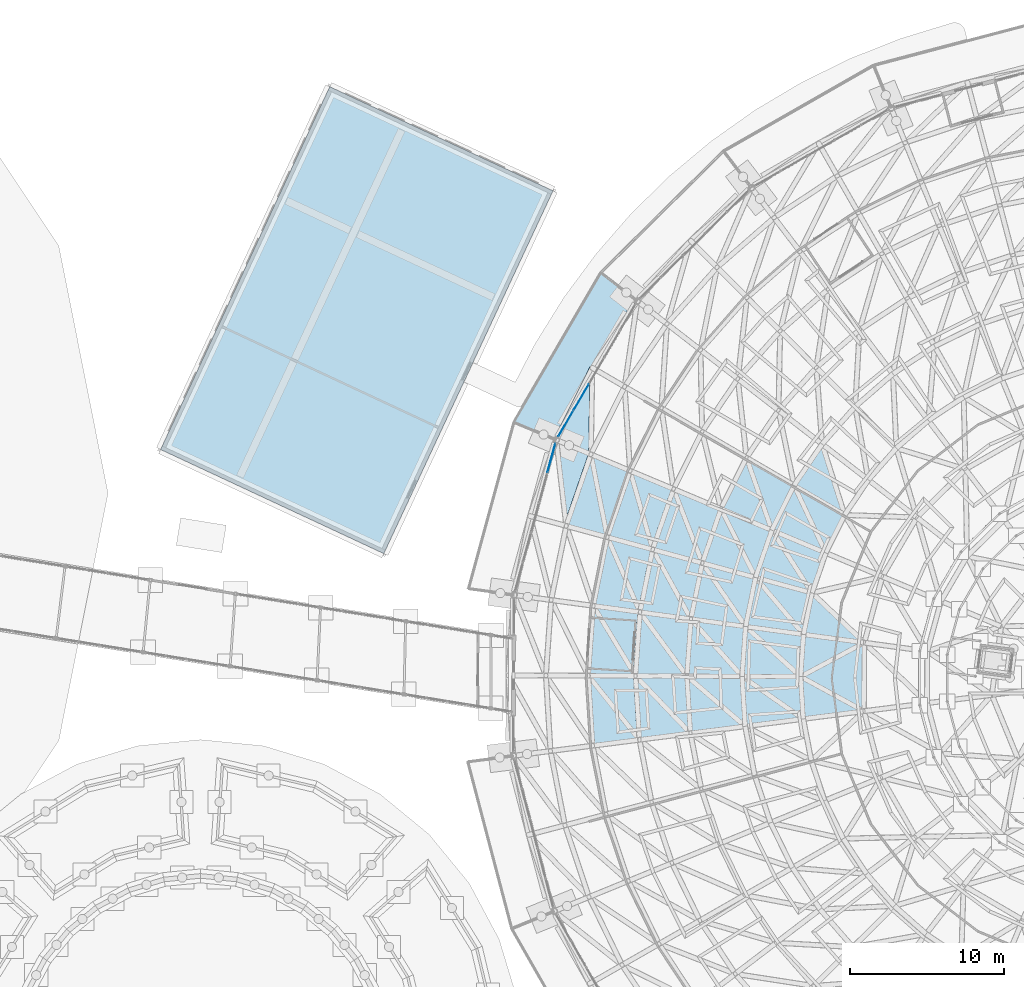
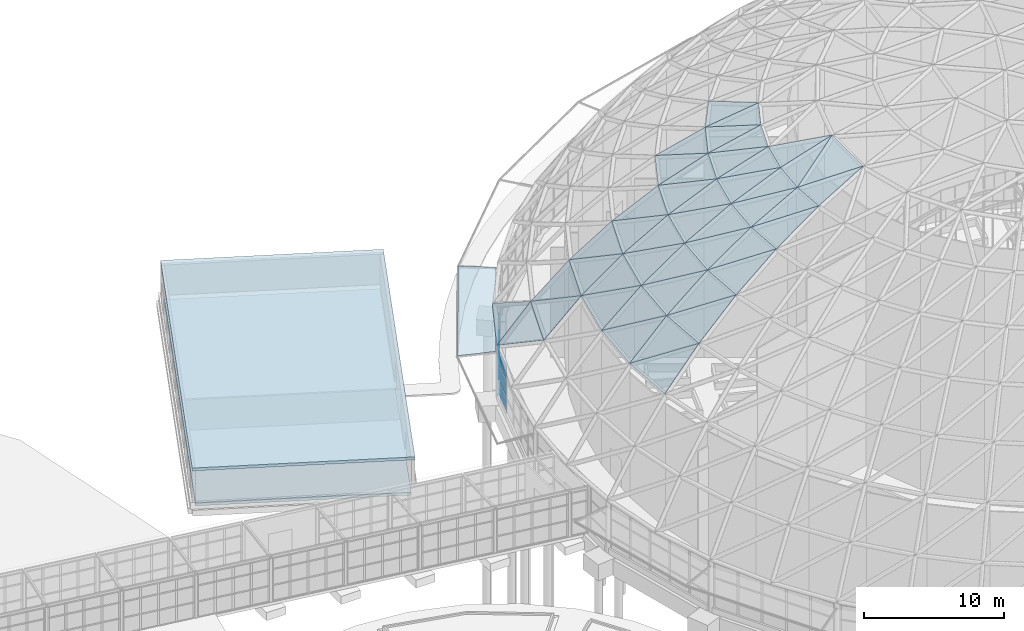
# One storey, part 139 of 226: 55 plates, 2 slabs, 2 elements without a shape of their own.
"""IFC4 building model written with IfcOpenShell, lengths in metres."""

from ifc_helpers import new_model, si_unit, direction, frame, origin, origin_2d, place, context, subcontext, project, spatial, polyline, rectangle, outline, extrude, material, layer, layer_set, type_object, element, aggregate, save


model = new_model("IFC4")

# Units and contexts
model_context = context("Model", 3, precision=1e-05, world=origin(), true_north=direction((0.0, 1.0)))
body_context = subcontext(model_context, "Body", "Model", "MODEL_VIEW")
ifc_project = project(units=[si_unit("LENGTHUNIT", "METRE"), si_unit("AREAUNIT", "SQUARE_METRE"), si_unit("VOLUMEUNIT", "CUBIC_METRE"), si_unit("PLANEANGLEUNIT", "RADIAN"), si_unit("MASSUNIT", "GRAM", prefix="KILO")], contexts=[model_context])

# Site, building, storey
site_placement = place(None, origin())
site = spatial("IfcSite", under=ifc_project, at=site_placement, CompositionType="ELEMENT")
building_placement = place(site_placement, origin())
building = spatial("IfcBuilding", under=site, at=building_placement, Name="Ceibo Conservatory and Research Tower", CompositionType="ELEMENT")
storey_placement = place(building_placement, origin())
storey = spatial("IfcBuildingStorey", under=building, at=storey_placement, Name="L00", CompositionType="ELEMENT", Elevation=0.0)

# Plate
ifc_material_1 = material(Name="Laminated glass", Category="glass")
ifc_layer_1 = layer(ifc_material_1, 0.02490234375)
ifc_layer_set_1 = layer_set([ifc_layer_1], Name="Laminated glass")
plate_type_1 = type_object("IfcPlateType", Name="Canopy glass 25", PredefinedType="SHEET", material=ifc_layer_set_1)
plate_1_placement = place(storey_placement, frame((124.1748046875, 132.641845703125, 4.07275390625), z_axis=(0.039562540313, -0.023071974586, -0.998950694175), x_axis=(-0.503781430565, -0.863831158397, -5.83234e-07)))
element("IfcPlate", 1, at=plate_1_placement, inside=storey, type_object=plate_type_1, Name="Brim canopy plate A-CP10", PredefinedType="SHEET", context=body_context, shape_type="SweptSolid", body=[
    extrude(outline(polyline([(0.0, 0.0), (10.507447212987021, 0.0), (10.866316717849386, 2.7292034430531147), (-0.3588374432735302, 2.729480202590164), (0.0, 0.0)])), origin(), (0.0, 0.0, 1.0), 0.02490234375),
])

# Curtain wall, plates
ifc_material_2 = material(Name="Aluminium and glass", Category="aluminium")
curtain_wall_type = type_object("IfcCurtainWallType", Name="Drum curtain wall", PredefinedType="NOTDEFINED", material=ifc_material_2)
curtain_wall_1_placement = place(storey_placement, origin())
curtain_wall_1 = element("IfcCurtainWall", 2, at=curtain_wall_1_placement, inside=storey, type_object=curtain_wall_type, Name="Drum curtain wall A-CW10", PredefinedType="NOTDEFINED")
ifc_layer_2 = layer(ifc_material_1, 0.028076171875)
ifc_layer_set_2 = layer_set([ifc_layer_2], Name="Laminated glass")
plate_type_2 = type_object("IfcPlateType", Name="Drum glass 28", PredefinedType="CURTAIN_PANEL", material=ifc_layer_set_2)
plate_2_placement = place(storey_placement, frame((120.73095703125, 126.24462890625, 0.06005859375), z_axis=(0.0, 0.0, 1.0), x_axis=(-0.503773971965, -0.863835508167, 0.0)))
plate_2 = element("IfcPlate", 3, at=plate_2_placement, type_object=plate_type_2, Name="A-CW10 panel 4.1", PredefinedType="CURTAIN_PANEL", context=body_context, shape_type="SweptSolid", body=[
    extrude(rectangle(XDim=1.947021484375, YDim=0.028076171875, at=origin_2d()), origin(), (0.0, 0.0, 1.0), 1.43994140625),
])
plate_3_placement = place(storey_placement, frame((120.73095703125, 126.24462890625, 1.56005859375), z_axis=(0.0, 0.0, 1.0), x_axis=(-0.503773971965, -0.863835508167, 0.0)))
plate_3 = element("IfcPlate", 4, at=plate_3_placement, type_object=plate_type_2, Name="A-CW10 panel 4.2", PredefinedType="CURTAIN_PANEL", context=body_context, shape_type="SweptSolid", body=[
    extrude(rectangle(XDim=1.947021484375, YDim=0.028076171875, at=origin_2d()), origin(), (0.0, 0.0, 1.0), 1.425048828125),
])
plate_4_placement = place(storey_placement, frame((120.73095703125, 126.24462890625, 3.044921875), z_axis=(0.0, 0.0, 1.0), x_axis=(-0.503773971965, -0.863835508167, 0.0)))
plate_4 = element("IfcPlate", 5, at=plate_4_placement, type_object=plate_type_2, Name="A-CW10 panel 4.3", PredefinedType="CURTAIN_PANEL", context=body_context, shape_type="SweptSolid", body=[
    extrude(rectangle(XDim=1.947021484375, YDim=0.028076171875, at=origin_2d()), origin(), (0.0, 0.0, 1.0), 1.233154296875),
])
plate_5_placement = place(storey_placement, frame((119.7275390625, 124.52392578125, 0.06005859375), z_axis=(0.0, 0.0, 1.0), x_axis=(-0.503773971965, -0.863835508167, 0.0)))
plate_5 = element("IfcPlate", 6, at=plate_5_placement, type_object=plate_type_2, Name="A-CW10 panel 5.1", PredefinedType="CURTAIN_PANEL", context=body_context, shape_type="SweptSolid", body=[
    extrude(rectangle(XDim=1.917236328125, YDim=0.028076171875, at=origin_2d()), origin(), (0.0, 0.0, 1.0), 1.43994140625),
])
plate_6_placement = place(storey_placement, frame((119.7275390625, 124.52392578125, 1.56005859375), z_axis=(0.0, 0.0, 1.0), x_axis=(-0.503773971965, -0.863835508167, 0.0)))
plate_6 = element("IfcPlate", 7, at=plate_6_placement, type_object=plate_type_2, Name="A-CW10 panel 5.2", PredefinedType="CURTAIN_PANEL", context=body_context, shape_type="SweptSolid", body=[
    extrude(rectangle(XDim=1.917236328125, YDim=0.028076171875, at=origin_2d()), origin(), (0.0, 0.0, 1.0), 1.425048828125),
])
plate_7_placement = place(storey_placement, frame((119.7275390625, 124.52392578125, 3.044921875), z_axis=(0.0, 0.0, 1.0), x_axis=(-0.503773971965, -0.863835508167, 0.0)))
plate_7 = element("IfcPlate", 8, at=plate_7_placement, type_object=plate_type_2, Name="A-CW10 panel 5.3", PredefinedType="CURTAIN_PANEL", context=body_context, shape_type="SweptSolid", body=[
    extrude(rectangle(XDim=1.917236328125, YDim=0.028076171875, at=origin_2d()), origin(), (0.0, 0.0, 1.0), 1.233154296875),
])
aggregate(curtain_wall_1, [plate_2, plate_3, plate_4, plate_5, plate_6, plate_7])

curtain_wall_2_placement = place(storey_placement, origin())
curtain_wall_2 = element("IfcCurtainWall", 9, at=curtain_wall_2_placement, inside=storey, type_object=curtain_wall_type, Name="Drum curtain wall A-CW11", PredefinedType="NOTDEFINED")
plate_8_placement = place(storey_placement, frame((118.79052734375, 122.289794921875, 0.06005859375), z_axis=(0.0, 0.0, 1.0), x_axis=(-0.263031218095, -0.964787322837, 0.0)))
plate_8 = element("IfcPlate", 10, at=plate_8_placement, type_object=plate_type_2, Name="A-CW11 panel 1.1", PredefinedType="CURTAIN_PANEL", context=body_context, shape_type="SweptSolid", body=[
    extrude(rectangle(XDim=1.917236328125, YDim=0.028076171875, at=origin_2d()), origin(), (0.0, 0.0, 1.0), 1.43994140625),
])
plate_9_placement = place(storey_placement, frame((118.79052734375, 122.289794921875, 1.56005859375), z_axis=(0.0, 0.0, 1.0), x_axis=(-0.263031218095, -0.964787322837, 0.0)))
plate_9 = element("IfcPlate", 11, at=plate_9_placement, type_object=plate_type_2, Name="A-CW11 panel 1.2", PredefinedType="CURTAIN_PANEL", context=body_context, shape_type="SweptSolid", body=[
    extrude(rectangle(XDim=1.917236328125, YDim=0.028076171875, at=origin_2d()), origin(), (0.0, 0.0, 1.0), 1.425048828125),
])
plate_10_placement = place(storey_placement, frame((118.79052734375, 122.289794921875, 3.044921875), z_axis=(0.0, 0.0, 1.0), x_axis=(-0.263031218095, -0.964787322837, 0.0)))
plate_10 = element("IfcPlate", 12, at=plate_10_placement, type_object=plate_type_2, Name="A-CW11 panel 1.3", PredefinedType="CURTAIN_PANEL", context=body_context, shape_type="SweptSolid", body=[
    extrude(rectangle(XDim=1.917236328125, YDim=0.028076171875, at=origin_2d()), origin(), (0.0, 0.0, 1.0), 1.233154296875),
])
aggregate(curtain_wall_2, [plate_8, plate_9, plate_10])

# Plates
ifc_layer_3 = layer(ifc_material_1, 0.035888671875)
ifc_layer_set_3 = layer_set([ifc_layer_3], Name="Laminated glass")
plate_type_3 = type_object("IfcPlateType", Name="Gridshell roof glass 36", PredefinedType="SHEET", material=ifc_layer_set_3)
plate_11_placement = place(storey_placement, frame((121.30224609375, 128.2353515625, 4.601806640625), z_axis=(-0.742802977442, 0.370360284257, 0.557742769158), x_axis=(-0.446209760188, -0.894928404909, 0.0)))
element("IfcPlate", 13, at=plate_11_placement, inside=storey, type_object=plate_type_3, Name="Glass panel A-P01-039", PredefinedType="SHEET", context=body_context, shape_type="SweptSolid", body=[
    extrude(outline(polyline([(0.0, 0.0), (5.254763054736992, 0.0), (5.0939444908646445, 4.374750473519363), (0.0, 0.0)])), origin(), (0.0, 0.0, -1.0), 0.035888671875),
])
plate_12_placement = place(storey_placement, frame((118.95751953125, 123.53271484375, 4.601806640625), z_axis=(-0.784770025573, 0.270254920895, 0.557761853029), x_axis=(0.096612038574, -0.835583231624, 0.540801975802)))
element("IfcPlate", 14, at=plate_12_placement, inside=storey, type_object=plate_type_3, Name="Glass panel A-P01-042", PredefinedType="SHEET", context=body_context, shape_type="SweptSolid", body=[
    extrude(outline(polyline([(0.0, 0.0), (6.714294100418478, 0.0), (2.9710832287201656, 3.215115668846396), (0.0, 0.0)])), origin(), (0.0, 0.0, -1.0), 0.035888671875),
])
plate_13_placement = place(storey_placement, frame((121.212890625, 122.587890625, 8.23291015625), z_axis=(-0.732352547598, 0.25220366906, 0.632497474571), x_axis=(-0.325607933059, -0.945504877792, 0.0)))
element("IfcPlate", 15, at=plate_13_placement, inside=storey, type_object=plate_type_3, Name="Glass panel A-P02-041", PredefinedType="SHEET", context=body_context, shape_type="SweptSolid", body=[
    extrude(outline(polyline([(0.0, 0.0), (4.934429692888738, -1.1102230246251565e-16), (4.752927804793788, 4.373058823436186), (0.0, 0.0)])), origin(), (0.0, 0.0, -1.0), 0.035888671875),
])
plate_14_placement = place(storey_placement, frame((121.212890625, 122.587890625, 8.23291015625), z_axis=(-0.732408446598, 0.252162316105, 0.632449234081), x_axis=(0.165302258371, -0.835243242845, 0.524446268611)))
element("IfcPlate", 16, at=plate_14_placement, inside=storey, type_object=plate_type_3, Name="Glass panel A-P02-042", PredefinedType="SHEET", context=body_context, shape_type="SweptSolid", body=[
    extrude(outline(polyline([(0.0, 0.0), (6.458635009877472, 0.0), (3.0946716643430197, 3.094814172155873), (0.0, 0.0)])), origin(), (0.0, 0.0, -1.0), 0.035888671875),
])
plate_15_placement = place(storey_placement, frame((123.7685546875, 121.515380859375, 11.6201171875), z_axis=(-0.673630407021, 0.23192551154, 0.701735442908), x_axis=(-0.325537989165, -0.945528961804, 0.0)))
element("IfcPlate", 17, at=plate_15_placement, inside=storey, type_object=plate_type_3, Name="Glass panel A-P03-041", PredefinedType="SHEET", context=body_context, shape_type="SweptSolid", body=[
    extrude(outline(polyline([(0.0, 0.0), (4.5710090954051035, 1.1102230246251565e-16), (4.370604295605408, 4.3722988921511075), (0.0, 0.0)])), origin(), (0.0, 0.0, -1.0), 0.035888671875),
])
plate_16_placement = place(storey_placement, frame((123.7685546875, 121.515380859375, 11.6201171875), z_axis=(-0.673576823102, 0.231964374119, 0.701774032378), x_axis=(0.23911868837, -0.830024210101, 0.503867108987)))
element("IfcPlate", 18, at=plate_16_placement, inside=storey, type_object=plate_type_3, Name="Glass panel A-P03-042", PredefinedType="SHEET", context=body_context, shape_type="SweptSolid", body=[
    extrude(outline(polyline([(0.0, 0.0), (6.182166247446785, -4.440892098500626e-16), (3.234536384486591, 2.949087560799737), (0.0, 0.0)])), origin(), (0.0, 0.0, -1.0), 0.035888671875),
])
plate_17_placement = place(storey_placement, frame((122.280517578125, 117.193359375, 11.6201171875), z_axis=(-0.698154069287, 0.142080610733, 0.701707913303), x_axis=(-0.19942125265, -0.979913855393, 0.0)))
element("IfcPlate", 19, at=plate_17_placement, inside=storey, type_object=plate_type_3, Name="Glass panel A-P03-043", PredefinedType="SHEET", context=body_context, shape_type="SweptSolid", body=[
    extrude(outline(polyline([(0.0, 0.0), (4.572557950849264, 0.0), (4.370501352476871, 4.372132491034286), (0.0, 0.0)])), origin(), (0.0, 0.0, -1.0), 0.035888671875),
])
plate_18_placement = place(storey_placement, frame((122.280517578125, 117.193359375, 11.6201171875), z_axis=(-0.698129251634, 0.142104119468, 0.701727844141), x_axis=(0.345320929694, -0.791742223068, 0.503882632888)))
element("IfcPlate", 20, at=plate_18_placement, inside=storey, type_object=plate_type_3, Name="Glass panel A-P03-044", PredefinedType="SHEET", context=body_context, shape_type="SweptSolid", body=[
    extrude(outline(polyline([(0.0, 0.0), (6.181975783773326, 2.220446049250313e-16), (3.2346956245776015, 2.9485426743439005), (0.0, 0.0)])), origin(), (0.0, 0.0, -1.0), 0.035888671875),
])
plate_19_placement = place(storey_placement, frame((121.36865234375, 112.712646484375, 11.6201171875), z_axis=(-0.710708262709, 0.049770125689, 0.701724091012), x_axis=(-0.06985782743, -0.997556957746, 0.0)))
element("IfcPlate", 21, at=plate_19_placement, inside=storey, type_object=plate_type_3, Name="Glass panel A-P03-045", PredefinedType="SHEET", context=body_context, shape_type="SweptSolid", body=[
    extrude(outline(polyline([(0.0, 0.0), (4.571226292737238, 0.0), (4.369341781045656, 4.372230273173639), (0.0, 0.0)])), origin(), (0.0, 0.0, -1.0), 0.035888671875),
])
plate_20_placement = place(storey_placement, frame((121.36865234375, 112.712646484375, 11.6201171875), z_axis=(-0.710708663855, 0.049769631133, 0.701723719806), x_axis=(0.445764552789, -0.73982064844, 0.503943817919)))
element("IfcPlate", 22, at=plate_20_placement, inside=storey, type_object=plate_type_3, Name="Glass panel A-P03-046", PredefinedType="SHEET", context=body_context, shape_type="SweptSolid", body=[
    extrude(outline(polyline([(0.0, 0.0), (6.181225215218037, 0.0), (3.234011481003443, 2.9491590545173043), (0.0, 0.0)])), origin(), (0.0, 0.0, -1.0), 0.035888671875),
])
plate_21_placement = place(storey_placement, frame((121.04931640625, 108.152587890625, 11.6201171875), z_axis=(-0.711045096954, -0.04348445938, 0.701800521438), x_axis=(0.061041656274, -0.998135219396, 0.0)))
element("IfcPlate", 23, at=plate_21_placement, inside=storey, type_object=plate_type_3, Name="Glass panel A-P03-047", PredefinedType="SHEET", context=body_context, shape_type="SweptSolid", body=[
    extrude(outline(polyline([(0.0, 0.0), (4.571513150302315, -2.7755575615628914e-17), (4.370765544932332, 4.3726923571040155), (0.0, 0.0)])), origin(), (0.0, 0.0, -1.0), 0.035888671875),
])
plate_22_placement = place(storey_placement, frame((121.04931640625, 108.152587890625, 11.6201171875), z_axis=(-0.711107793429, -0.043586582447, 0.701730657699), x_axis=(0.538585113529, -0.675334160245, 0.503835139198)))
element("IfcPlate", 24, at=plate_22_placement, inside=storey, type_object=plate_type_3, Name="Glass panel A-P03-048", PredefinedType="SHEET", context=body_context, shape_type="SweptSolid", body=[
    extrude(outline(polyline([(0.0, 0.0), (6.182558523673149, -1.1102230246251565e-15), (3.234171428542714, 2.949116831954096), (0.0, 0.0)])), origin(), (0.0, 0.0, -1.0), 0.035888671875),
])
plate_23_placement = place(storey_placement, frame((126.6044921875, 120.326416015625, 14.735107421875), z_axis=(-0.608957002075, 0.209710793197, 0.764978923135), x_axis=(-0.325609910705, -0.945504196739, 0.0)))
element("IfcPlate", 25, at=plate_23_placement, inside=storey, type_object=plate_type_3, Name="Glass panel A-P04-041", PredefinedType="SHEET", context=body_context, shape_type="SweptSolid", body=[
    extrude(outline(polyline([(0.0, 0.0), (4.16960900448453, 1.1102230246251565e-16), (3.950562007717788, 4.3717888324906), (0.0, 0.0)])), origin(), (0.0, 0.0, -1.0), 0.035888671875),
])
plate_24_placement = place(storey_placement, frame((126.6044921875, 120.326416015625, 14.735107421875), z_axis=(-0.608981395128, 0.209692846517, 0.764964424342), x_axis=(0.318334928516, -0.818729426979, 0.477854579015)))
element("IfcPlate", 26, at=plate_24_placement, inside=storey, type_object=plate_type_3, Name="Glass panel A-P04-042", PredefinedType="SHEET", context=body_context, shape_type="SweptSolid", body=[
    extrude(outline(polyline([(0.0, 0.0), (5.8923236310230545, 2.220446049250313e-16), (3.3899891099477335, 2.768980068166276), (0.0, 0.0)])), origin(), (0.0, 0.0, -1.0), 0.035888671875),
])
plate_25_placement = place(storey_placement, frame((125.246826171875, 116.384033203125, 14.735107421875), z_axis=(-0.631105080791, 0.128461358105, 0.764986311298), x_axis=(-0.199459744694, -0.97990602113, 0.0)))
element("IfcPlate", 27, at=plate_25_placement, inside=storey, type_object=plate_type_3, Name="Glass panel A-P04-043", PredefinedType="SHEET", context=body_context, shape_type="SweptSolid", body=[
    extrude(outline(polyline([(0.0, 0.0), (4.16897640185404, 1.1102230246251565e-16), (3.9503910068015955, 4.371848400047367), (0.0, 0.0)])), origin(), (0.0, 0.0, -1.0), 0.035888671875),
])
plate_26_placement = place(storey_placement, frame((125.246826171875, 116.384033203125, 14.735107421875), z_axis=(-0.631118219671, 0.128448740221, 0.764977590479), x_axis=(0.422462806056, -0.770178367886, 0.477860292491)))
element("IfcPlate", 28, at=plate_26_placement, inside=storey, type_object=plate_type_3, Name="Glass panel A-P04-044", PredefinedType="SHEET", context=body_context, shape_type="SweptSolid", body=[
    extrude(outline(polyline([(0.0, 0.0), (5.892253180203277, -6.661338147750939e-16), (3.3906602591577535, 2.7683825945216305), (0.0, 0.0)])), origin(), (0.0, 0.0, -1.0), 0.035888671875),
])
plate_27_placement = place(storey_placement, frame((124.415283203125, 112.298828125, 14.735107421875), z_axis=(-0.642415247995, 0.044987167813, 0.765035165124), x_axis=(-0.069857097416, -0.997557008867, 0.0)))
element("IfcPlate", 29, at=plate_27_placement, inside=storey, type_object=plate_type_3, Name="Glass panel A-P04-045", PredefinedType="SHEET", context=body_context, shape_type="SweptSolid", body=[
    extrude(outline(polyline([(0.0, 0.0), (4.169365410225462, 0.0), (3.950300612136636, 4.372242363016905), (0.0, 0.0)])), origin(), (0.0, 0.0, -1.0), 0.035888671875),
])
plate_28_placement = place(storey_placement, frame((124.415283203125, 112.298828125, 14.735107421875), z_axis=(-0.642493133176, 0.044889797732, 0.764975476654), x_axis=(0.51943977312, -0.708413595024, 0.477841501427)))
element("IfcPlate", 30, at=plate_28_placement, inside=storey, type_object=plate_type_3, Name="Glass panel A-P04-046", PredefinedType="SHEET", context=body_context, shape_type="SweptSolid", body=[
    extrude(outline(polyline([(0.0, 0.0), (5.892484892403775, 2.220446049250313e-16), (3.3912287716587572, 2.7677437428708576), (0.0, 0.0)])), origin(), (0.0, 0.0, -1.0), 0.035888671875),
])
plate_29_placement = place(storey_placement, frame((124.1240234375, 108.1396484375, 14.735107421875), z_axis=(-0.642820603216, -0.039400993041, 0.765002767203), x_axis=(0.061179102029, -0.998126804306, 0.0)))
element("IfcPlate", 31, at=plate_29_placement, inside=storey, type_object=plate_type_3, Name="Glass panel A-P04-047", PredefinedType="SHEET", context=body_context, shape_type="SweptSolid", body=[
    extrude(outline(polyline([(0.0, 0.0), (4.170165050839913, -5.551115123125783e-17), (3.951766782354754, 4.3719810876863985), (0.0, 0.0)])), origin(), (0.0, 0.0, -1.0), 0.035888671875),
])
plate_30_placement = place(storey_placement, frame((124.1240234375, 108.1396484375, 14.735107421875), z_axis=(-0.642791504126, -0.039352862143, 0.765029695152), x_axis=(0.60748542812, -0.634578681665, 0.477777512446)))
element("IfcPlate", 32, at=plate_30_placement, inside=storey, type_object=plate_type_3, Name="Glass panel A-P04-048", PredefinedType="SHEET", context=body_context, shape_type="SweptSolid", body=[
    extrude(outline(polyline([(0.0, 0.0), (5.893274075860548, 2.220446049250313e-16), (3.391193080415083, 2.768447607968445), (0.0, 0.0)])), origin(), (0.0, 0.0, -1.0), 0.035888671875),
])
plate_31_placement = place(storey_placement, frame((131.3603515625, 122.369873046875, 17.55078125), z_axis=(-0.510196421829, 0.254426703486, 0.821563548185), x_axis=(-0.446271074095, -0.894897831278, 0.0)))
element("IfcPlate", 33, at=plate_31_placement, inside=storey, type_object=plate_type_3, Name="Glass panel A-P05-039", PredefinedType="SHEET", context=body_context, shape_type="SweptSolid", body=[
    extrude(outline(polyline([(0.0, 0.0), (3.731003775851083, 0.0), (3.4958935803363858, 4.370077191346767), (0.0, 0.0)])), origin(), (0.0, 0.0, -1.0), 0.035888671875),
])
plate_32_placement = place(storey_placement, frame((131.3603515625, 122.369873046875, 17.55078125), z_axis=(-0.510226759322, 0.254409059279, 0.821550171705), x_axis=(0.295342428095, -0.845324996927, 0.445194900843)))
element("IfcPlate", 34, at=plate_32_placement, inside=storey, type_object=plate_type_3, Name="Glass panel A-P05-040", PredefinedType="SHEET", context=body_context, shape_type="SweptSolid", body=[
    extrude(outline(polyline([(0.0, 0.0), (5.596324381535295, 2.220446049250313e-16), (3.5592323852402186, 2.5462668798643193), (0.0, 0.0)])), origin(), (0.0, 0.0, -1.0), 0.035888671875),
])
plate_33_placement = place(storey_placement, frame((129.6953125, 119.031005859375, 17.55078125), z_axis=(-0.539062040255, 0.185617252965, 0.821558489797), x_axis=(-0.32557334048, -0.945516789893, 0.0)))
element("IfcPlate", 35, at=plate_33_placement, inside=storey, type_object=plate_type_3, Name="Glass panel A-P05-041", PredefinedType="SHEET", context=body_context, shape_type="SweptSolid", body=[
    extrude(outline(polyline([(0.0, 0.0), (3.7321479972352876, 0.0), (3.4962116485441794, 4.370021317980223), (0.0, 0.0)])), origin(), (0.0, 0.0, -1.0), 0.035888671875),
])
plate_34_placement = place(storey_placement, frame((129.6953125, 119.031005859375, 17.55078125), z_axis=(-0.53905830319, 0.185620139564, 0.821560289662), x_axis=(0.403172686909, -0.799540035238, 0.445182565452)))
element("IfcPlate", 36, at=plate_34_placement, inside=storey, type_object=plate_type_3, Name="Glass panel A-P05-042", PredefinedType="SHEET", context=body_context, shape_type="SweptSolid", body=[
    extrude(outline(polyline([(0.0, 0.0), (5.596479447922382, 0.0), (3.5596637295951297, 2.5459076170531194), (0.0, 0.0)])), origin(), (0.0, 0.0, -1.0), 0.035888671875),
])
plate_35_placement = place(storey_placement, frame((128.480224609375, 115.502197265625, 17.55078125), z_axis=(-0.55859178634, 0.113687751386, 0.821614454241), x_axis=(-0.199436945553, -0.979910661616, 0.0)))
element("IfcPlate", 37, at=plate_35_placement, inside=storey, type_object=plate_type_3, Name="Glass panel A-P05-043", PredefinedType="SHEET", context=body_context, shape_type="SweptSolid", body=[
    extrude(outline(polyline([(0.0, 0.0), (3.7312074898449956, 0.0), (3.4951544007870523, 4.370639622162836), (0.0, 0.0)])), origin(), (0.0, 0.0, -1.0), 0.035888671875),
])
plate_36_placement = place(storey_placement, frame((128.480224609375, 115.502197265625, 17.55078125), z_axis=(-0.558688557011, 0.113590330853, 0.821562129727), x_axis=(0.504221786555, -0.739973173866, 0.445196689029)))
element("IfcPlate", 38, at=plate_36_placement, inside=storey, type_object=plate_type_3, Name="Glass panel A-P05-044", PredefinedType="SHEET", context=body_context, shape_type="SweptSolid", body=[
    extrude(outline(polyline([(0.0, 0.0), (5.5963019032358154, 3.3306690738754696e-16), (3.5594281909466803, 2.5462174364592935), (0.0, 0.0)])), origin(), (0.0, 0.0, -1.0), 0.035888671875),
])
plate_37_placement = place(storey_placement, frame((127.736083984375, 111.845947265625, 17.55078125), z_axis=(-0.568732881221, 0.039736306403, 0.821561887974), x_axis=(-0.069698225387, -0.997568121673, 0.0)))
element("IfcPlate", 39, at=plate_37_placement, inside=storey, type_object=plate_type_3, Name="Glass panel A-P05-045", PredefinedType="SHEET", context=body_context, shape_type="SweptSolid", body=[
    extrude(outline(polyline([(0.0, 0.0), (3.730507687670031, 0.0), (3.4958145110330494, 4.370058852904279), (0.0, 0.0)])), origin(), (0.0, 0.0, -1.0), 0.035888671875),
])
plate_38_placement = place(storey_placement, frame((127.736083984375, 111.845947265625, 17.55078125), z_axis=(-0.568635694864, 0.03986382489, 0.821622980443), x_axis=(0.596450169592, -0.667865392502, 0.445199969331)))
element("IfcPlate", 40, at=plate_38_placement, inside=storey, type_object=plate_type_3, Name="Glass panel A-P05-046", PredefinedType="SHEET", context=body_context, shape_type="SweptSolid", body=[
    extrude(outline(polyline([(0.0, 0.0), (5.596260668821307, -2.220446049250313e-16), (3.559911507223866, 2.546613796477314), (0.0, 0.0)])), origin(), (0.0, 0.0, -1.0), 0.035888671875),
])
plate_39_placement = place(storey_placement, frame((127.47607421875, 108.12451171875, 17.55078125), z_axis=(-0.569090988201, -0.034840782838, 0.821536102067), x_axis=(0.061107402824, -0.998131196447, 0.0)))
element("IfcPlate", 41, at=plate_39_placement, inside=storey, type_object=plate_type_3, Name="Glass panel A-P05-047", PredefinedType="SHEET", context=body_context, shape_type="SweptSolid", body=[
    extrude(outline(polyline([(0.0, 0.0), (3.7315829705147348, 0.0), (3.4964130459758476, 4.3697740600050805), (0.0, 0.0)])), origin(), (0.0, 0.0, -1.0), 0.035888671875),
])
plate_40_placement = place(storey_placement, frame((127.47607421875, 108.12451171875, 17.55078125), z_axis=(-0.569063433344, -0.034792700538, 0.821557226747), x_axis=(0.678448059869, -0.584393660623, 0.4451879148)))
element("IfcPlate", 42, at=plate_40_placement, inside=storey, type_object=plate_type_3, Name="Glass panel A-P05-048", PredefinedType="SHEET", context=body_context, shape_type="SweptSolid", body=[
    extrude(outline(polyline([(0.0, 0.0), (5.596412201005515, 5.551115123125783e-16), (3.5595707300836565, 2.5459676907884607), (0.0, 0.0)])), origin(), (0.0, 0.0, -1.0), 0.035888671875),
])
plate_41_placement = place(storey_placement, frame((136.291748046875, 123.259521484375, 20.042236328125), z_axis=(-0.406961785308, 0.274629343555, 0.871183579366), x_axis=(-0.559375094808, -0.828914653814, 0.0)))
element("IfcPlate", 43, at=plate_41_placement, inside=storey, type_object=plate_type_3, Name="Glass panel A-P06-037", PredefinedType="SHEET", context=body_context, shape_type="SweptSolid", body=[
    extrude(outline(polyline([(0.0, 0.0), (3.259863274301928, 0.0), (3.0104385485394936, 4.370546084690857), (0.0, 0.0)])), origin(), (0.0, 0.0, -1.0), 0.035888671875),
])
plate_42_placement = place(storey_placement, frame((134.46826171875, 120.557373046875, 20.042236328125), z_axis=(-0.439373150127, 0.219080061471, 0.871180326691), x_axis=(-0.44622503886, -0.894920786827, 0.0)))
element("IfcPlate", 44, at=plate_42_placement, inside=storey, type_object=plate_type_3, Name="Glass panel A-P06-039", PredefinedType="SHEET", context=body_context, shape_type="SweptSolid", body=[
    extrude(outline(polyline([(0.0, 0.0), (3.2608616690781957, 0.0), (3.011763968177683, 4.3704947051715415), (0.0, 0.0)])), origin(), (0.0, 0.0, -1.0), 0.035888671875),
])
plate_43_placement = place(storey_placement, frame((134.46826171875, 120.557373046875, 20.042236328125), z_axis=(-0.439374201698, 0.219079391027, 0.871179964938), x_axis=(0.388768541672, -0.827904044198, 0.404269606337)))
element("IfcPlate", 45, at=plate_43_placement, inside=storey, type_object=plate_type_3, Name="Glass panel A-P06-040", PredefinedType="SHEET", context=body_context, shape_type="SweptSolid", body=[
    extrude(outline(polyline([(0.0, 0.0), (5.307725140580083, -3.3306690738754696e-16), (3.7408477222334784, 2.2737511058356494), (0.0, 0.0)])), origin(), (0.0, 0.0, -1.0), 0.035888671875),
])
plate_44_placement = place(storey_placement, frame((133.01318359375, 117.63916015625, 20.042236328125), z_axis=(-0.46418912574, 0.159839575411, 0.871194447685), x_axis=(-0.325579884733, -0.94551453646, 0.0)))
element("IfcPlate", 46, at=plate_44_placement, inside=storey, type_object=plate_type_3, Name="Glass panel A-P06-041", PredefinedType="SHEET", context=body_context, shape_type="SweptSolid", body=[
    extrude(outline(polyline([(0.0, 0.0), (3.260408542651373, 0.0), (3.011258690738724, 4.370717776040065), (0.0, 0.0)])), origin(), (0.0, 0.0, -1.0), 0.035888671875),
])
plate_45_placement = place(storey_placement, frame((133.01318359375, 117.63916015625, 20.042236328125), z_axis=(-0.464240002256, 0.159796843866, 0.871175176986), x_axis=(0.493605795176, -0.770008481152, 0.404277451663)))
element("IfcPlate", 47, at=plate_45_placement, inside=storey, type_object=plate_type_3, Name="Glass panel A-P06-042", PredefinedType="SHEET", context=body_context, shape_type="SweptSolid", body=[
    extrude(outline(polyline([(0.0, 0.0), (5.307622139936312, -2.220446049250313e-16), (3.740847783150219, 2.2736163915283716), (0.0, 0.0)])), origin(), (0.0, 0.0, -1.0), 0.035888671875),
])
plate_46_placement = place(storey_placement, frame((131.95166015625, 114.556396484375, 20.042236328125), z_axis=(-0.481128138103, 0.097821055585, 0.871175502301), x_axis=(-0.19923968874, -0.97995078776, 0.0)))
element("IfcPlate", 48, at=plate_46_placement, inside=storey, type_object=plate_type_3, Name="Glass panel A-P06-043", PredefinedType="SHEET", context=body_context, shape_type="SweptSolid", body=[
    extrude(outline(polyline([(0.0, 0.0), (3.260686699691317, 0.0), (3.0112605617994657, 4.370418502422462), (0.0, 0.0)])), origin(), (0.0, 0.0, -1.0), 0.035888671875),
])
plate_47_placement = place(storey_placement, frame((131.95166015625, 114.556396484375, 20.042236328125), z_axis=(-0.48109278401, 0.097859681902, 0.871190688559), x_axis=(0.58995312714, -0.698927704777, 0.404296143036)))
element("IfcPlate", 49, at=plate_47_placement, inside=storey, type_object=plate_type_3, Name="Glass panel A-P06-044", PredefinedType="SHEET", context=body_context, shape_type="SweptSolid", body=[
    extrude(outline(polyline([(0.0, 0.0), (5.307376758565894, -6.661338147750939e-16), (3.741199134528241, 2.273472797793244), (0.0, 0.0)])), origin(), (0.0, 0.0, -1.0), 0.035888671875),
])
plate_48_placement = place(storey_placement, frame((131.302001953125, 111.361083984375, 20.042236328125), z_axis=(-0.489740328046, 0.034332917991, 0.871192092381), x_axis=(-0.069932695265, -0.997551712009, 0.0)))
element("IfcPlate", 50, at=plate_48_placement, inside=storey, type_object=plate_type_3, Name="Glass panel A-P06-045", PredefinedType="SHEET", context=body_context, shape_type="SweptSolid", body=[
    extrude(outline(polyline([(0.0, 0.0), (3.2606686026560867, 2.7755575615628914e-17), (3.0098850054879334, 4.370680566432752), (0.0, 0.0)])), origin(), (0.0, 0.0, -1.0), 0.035888671875),
])
plate_49_placement = place(storey_placement, frame((131.302001953125, 111.361083984375, 20.042236328125), z_axis=(-0.489768899145, 0.0342920704, 0.87117763937), x_axis=(0.676091493235, -0.615962779186, 0.404339149023)))
element("IfcPlate", 51, at=plate_49_placement, inside=storey, type_object=plate_type_3, Name="Glass panel A-P06-046", PredefinedType="SHEET", context=body_context, shape_type="SweptSolid", body=[
    extrude(outline(polyline([(0.0, 0.0), (5.306812259733146, -4.440892098500626e-16), (3.740455873526321, 2.274150642060169), (0.0, 0.0)])), origin(), (0.0, 0.0, -1.0), 0.035888671875),
])
plate_50_placement = place(storey_placement, frame((131.073974609375, 108.1083984375, 20.042236328125), z_axis=(-0.489998251112, -0.029958632757, 0.871208467722), x_axis=(0.061026329156, -0.998136156619, 0.0)))
element("IfcPlate", 52, at=plate_50_placement, inside=storey, type_object=plate_type_3, Name="Glass panel A-P06-047", PredefinedType="SHEET", context=body_context, shape_type="SweptSolid", body=[
    extrude(outline(polyline([(0.0, 0.0), (3.2604715395485115, -2.7755575615628914e-17), (3.0104601837676044, 4.370939289453489), (0.0, 0.0)])), origin(), (0.0, 0.0, -1.0), 0.035888671875),
])
plate_51_placement = place(storey_placement, frame((131.073974609375, 108.1083984375, 20.042236328125), z_axis=(-0.490015172623, -0.029991185499, 0.871197830226), x_axis=(0.750773541345, -0.522381247198, 0.40429806108)))
element("IfcPlate", 53, at=plate_51_placement, inside=storey, type_object=plate_type_3, Name="Glass panel A-P06-048", PredefinedType="SHEET", context=body_context, shape_type="SweptSolid", body=[
    extrude(outline(polyline([(0.0, 0.0), (5.307351579661766, -3.3306690738754696e-16), (3.740830877042015, 2.274186750416638), (0.0, 0.0)])), origin(), (0.0, 0.0, -1.0), 0.035888671875),
])
plate_52_placement = place(storey_placement, frame((139.044189453125, 110.3076171875, 23.970458984375), z_axis=(-0.399746187862, 0.081312869546, 0.91301215903), x_axis=(-0.677625578929, 0.644549380472, -0.35408991925)))
element("IfcPlate", 54, at=plate_52_placement, inside=storey, type_object=plate_type_3, Name="Glass panel A-P07-034", PredefinedType="SHEET", context=body_context, shape_type="SweptSolid", body=[
    extrude(outline(polyline([(0.0, 0.0), (5.0339493055935876, -2.7755575615628914e-16), (3.663128106836253, 2.3963389062024545), (0.0, 0.0)])), origin(), (0.0, 0.0, -1.0), 0.035888671875),
])
plate_53_placement = place(storey_placement, frame((139.044189453125, 110.3076171875, 23.970458984375), z_axis=(-0.406936960889, 0.028492439874, 0.913011769219), x_axis=(-0.904988438841, 0.123204699951, -0.407205755699)))
element("IfcPlate", 55, at=plate_53_placement, inside=storey, type_object=plate_type_3, Name="Glass panel A-P07-035", PredefinedType="SHEET", context=body_context, shape_type="SweptSolid", body=[
    extrude(outline(polyline([(0.0, 0.0), (4.377321975874442, 6.938893903907228e-17), (4.212483654863948, 2.7564581983625343), (0.0, 0.0)])), origin(), (0.0, 0.0, -1.0), 0.035888671875),
])
plate_54_placement = place(storey_placement, frame((139.044189453125, 110.3076171875, 23.970458984375), z_axis=(-0.395100410812, 0.001770492032, 0.918636234172), x_axis=(-0.825216358901, -0.44005719562, -0.354072909987)))
element("IfcPlate", 56, at=plate_54_placement, inside=storey, type_object=plate_type_3, Name="Glass panel A-P07-036", PredefinedType="SHEET", context=body_context, shape_type="SweptSolid", body=[
    extrude(outline(polyline([(0.0, 0.0), (5.034191130838791, -1.6653345369377348e-16), (1.9824888584162523, 4.003617954590988), (0.0, 0.0)])), origin(), (0.0, 0.0, -1.0), 0.035888671875),
])
plate_55_placement = place(storey_placement, frame((139.024169921875, 105.840087890625, 23.970458984375), z_axis=(-0.407209701731, -0.024923109291, 0.912994576895), x_axis=(-0.821259687133, 0.447391083843, -0.354081550476)))
element("IfcPlate", 57, at=plate_55_placement, inside=storey, type_object=plate_type_3, Name="Glass panel A-P07-037", PredefinedType="SHEET", context=body_context, shape_type="SweptSolid", body=[
    extrude(outline(polyline([(0.0, 0.0), (5.034068283787201, 4.996003610813204e-16), (3.662355446775371, 2.396730352017895), (0.0, 0.0)])), origin(), (0.0, 0.0, -1.0), 0.035888671875),
])

# Slabs
ifc_material_3 = material(Name="Concrete C35/45", Category="concrete")
ifc_layer_4 = layer(ifc_material_3, 0.25)
ifc_layer_set_4 = layer_set([ifc_layer_4], Name="Concrete C35/45")
slab_type_1 = type_object("IfcSlabType", Name="RC annex floor slab 250", PredefinedType="BASESLAB", material=ifc_layer_set_4)
slab_1_placement = place(storey_placement, frame((104.517578125, 146.07470703125, -0.25), z_axis=(0.0, 0.0, 1.0), x_axis=(0.906307796078, -0.422618242352, 0.0)))
element("IfcSlab", 58, at=slab_1_placement, inside=storey, type_object=slab_type_1, Name="Plant annex floor A-AF01", PredefinedType="BASESLAB", context=body_context, shape_type="SweptSolid", body=[
    extrude(outline(polyline([(0.0, 0.0), (15.5, 0.0), (15.5, -25.5), (0.0, -25.5), (0.0, 0.0)])), origin(), (0.0, 0.0, 1.0), 0.25),
])
ifc_layer_5 = layer(ifc_material_3, 0.25)
ifc_layer_set_5 = layer_set([ifc_layer_5], Name="Concrete C35/45")
slab_type_2 = type_object("IfcSlabType", Name="RC annex roof slab 250", PredefinedType="ROOF", material=ifc_layer_set_5)
slab_2_placement = place(storey_placement, frame((104.396728515625, 146.406982421875, 3.0), z_axis=(0.0, 0.0, 1.0), x_axis=(-0.422618274713, -0.906307780988, 0.0)))
element("IfcSlab", 59, at=slab_2_placement, inside=storey, type_object=slab_type_2, Name="Plant annex roof A-AR01", PredefinedType="ROOF", context=body_context, shape_type="SweptSolid", body=[
    extrude(outline(polyline([(0.0, 0.0), (26.0, 0.0), (26.0, 16.0), (0.0, 16.0), (0.0, 0.0)])), origin(), (0.0, 0.0, 1.0), 0.25),
])

save(model, "model.ifc")
